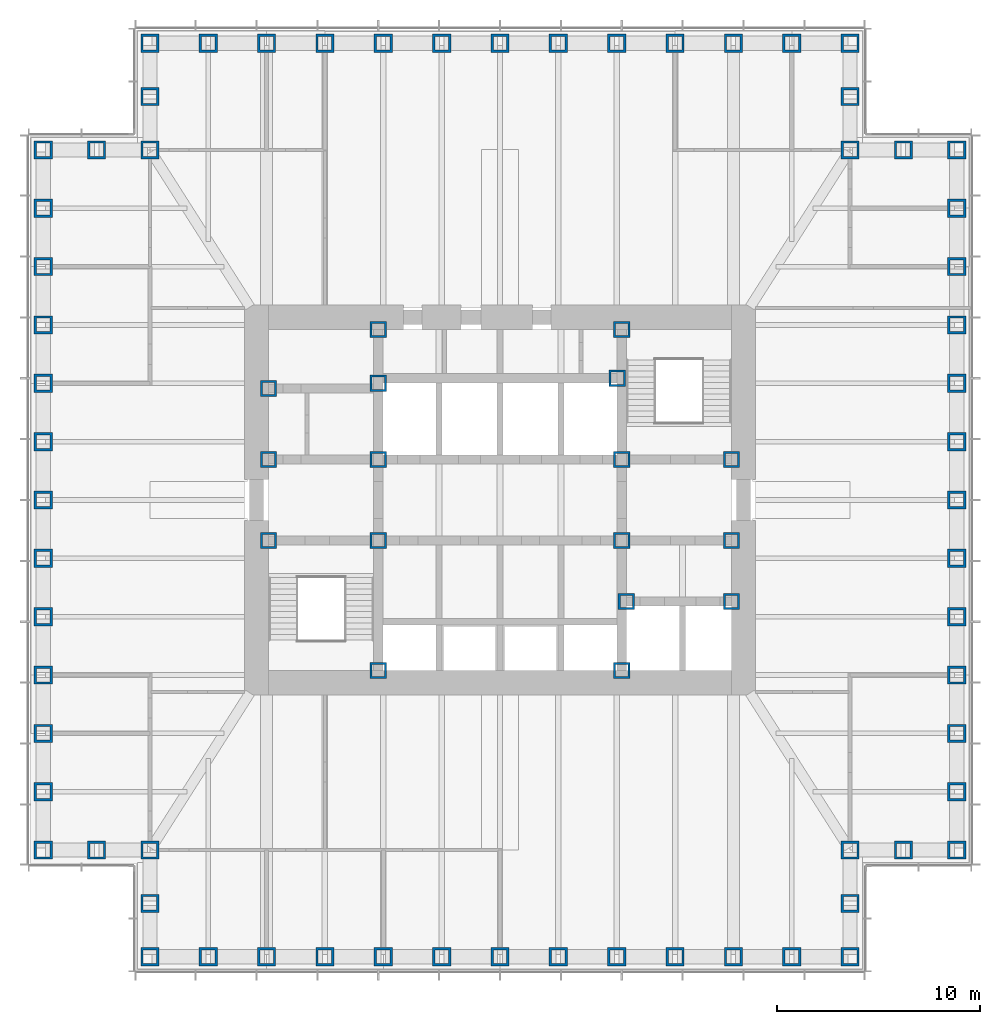
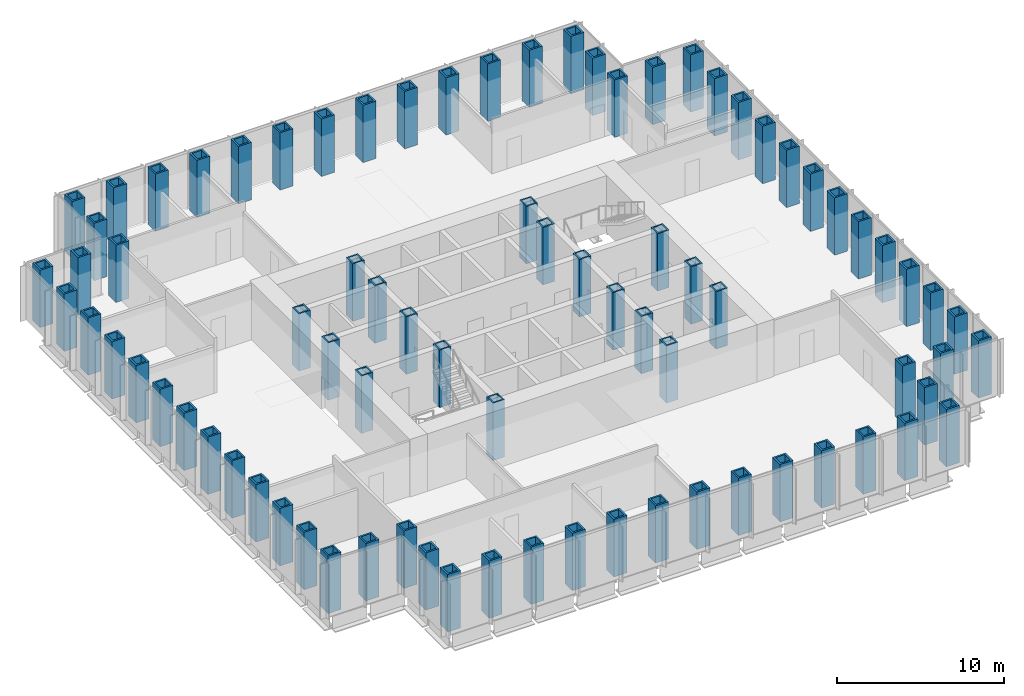
# One storey, part 1 of 16: 81 columns.
"""IFC4 building model written with IfcOpenShell, lengths in metres."""

from ifc_helpers import new_model, si_unit, direction, frame, origin, origin_2d, place, context, subcontext, project, spatial, hollow_rectangle, extrude, material, material_profile, profile_set, type_object, element, save


model = new_model("IFC4")

# Units and contexts
model_context = context("Model", 3, precision=1e-05, world=origin(), true_north=direction((0.0, 1.0)))
body_context = subcontext(model_context, "Body", "Model", "MODEL_VIEW")
ifc_project = project(units=[si_unit("LENGTHUNIT", "METRE"), si_unit("AREAUNIT", "SQUARE_METRE"), si_unit("VOLUMEUNIT", "CUBIC_METRE"), si_unit("PLANEANGLEUNIT", "RADIAN"), si_unit("MASSUNIT", "GRAM", prefix="KILO")], contexts=[model_context])

# Site, building, storey
site_placement = place(None, origin())
site = spatial("IfcSite", under=ifc_project, at=site_placement, CompositionType="ELEMENT")
building_placement = place(site_placement, origin())
building = spatial("IfcBuilding", under=site, at=building_placement, Name="Daluyong Arena Tower", CompositionType="ELEMENT")
storey_placement = place(building_placement, frame((0.0, 0.0, 162.699951171875)))
storey = spatial("IfcBuildingStorey", under=building, at=storey_placement, Name="L36", CompositionType="ELEMENT", Elevation=162.699951171875)

# Columns
ifc_material_1 = material(Name="Steel ASTM A572 Grade 50", Category="steel")
ifc_material_profile_1 = material_profile(ifc_material_1, hollow_rectangle(XDim=0.800048828125, YDim=0.800048828125, WallThickness=0.1, at=origin_2d()))
ifc_profile_set_1 = profile_set([ifc_material_profile_1], Name="Steel ASTM A572 Grade 50")
column_type_1 = type_object("IfcColumnType", Name="Core boundary column BX800X100", PredefinedType="COLUMN", material=ifc_profile_set_1)
for number, where, z_axis, x_axis, name in (
    (1, (44.60009765625, 78.0, 0.0), (0.0, 0.0, 1.0), (1.0, 0.0, 0.0), "core boundary column BC2"),
    (2, (44.60009765625, 82.0, 0.0), (0.0, 0.0, 1.0), (1.0, 0.0, 0.0), "core boundary column BC2"),
    (3, (44.60009765625, 85.5, 0.0), (0.0, 0.0, 1.0), (1.0, 0.0, 0.0), "core boundary column BC2"),
    (4, (50.0, 71.60009765625, 0.0), (0.0, 0.0, 1.0), (1.0, 0.0, 0.0), "core boundary column BC2"),
    (5, (50.0, 78.0, 0.0), (0.0, 0.0, 1.0), (1.0, 0.0, 0.0), "core boundary column BC2"),
    (6, (50.0, 82.0, 0.0), (0.0, 0.0, 1.0), (1.0, 0.0, 0.0), "core boundary column BC2"),
    (7, (50.0, 85.75, 0.0), (0.0, 0.0, 1.0), (1.0, 0.0, 0.0), "core boundary column BC2"),
    (8, (50.0, 88.39990234375, 0.0), (0.0, 0.0, 1.0), (1.0, 0.0, 0.0), "core boundary column BC2"),
    (9, (61.77490234375, 86.0, 0.0), (0.0, 0.0, 1.0), (1.0, 0.0, 0.0), "core boundary column BC2"),
    (10, (62.0, 71.60009765625, 0.0), (0.0, 0.0, 1.0), (1.0, 0.0, 0.0), "core boundary column BC2"),
    (11, (62.0, 78.0, 0.0), (0.0, 0.0, 1.0), (1.0, 0.0, 0.0), "core boundary column BC2"),
    (12, (62.0, 82.0, 0.0), (0.0, 0.0, 1.0), (1.0, 0.0, 0.0), "core boundary column BC2"),
    (13, (62.0, 88.39990234375, 0.0), (0.0, 0.0, 1.0), (1.0, 0.0, 0.0), "core boundary column BC2"),
    (14, (62.22509765625, 75.0, 0.0), (0.0, 0.0, 1.0), (1.0, 0.0, 0.0), "core boundary column BC2"),
    (15, (67.39990234375, 75.0, 0.0), (0.0, 0.0, 1.0), (1.0, 0.0, 0.0), "core boundary column BC2"),
    (16, (67.39990234375, 78.0, 0.0), (0.0, 0.0, 1.0), (1.0, 0.0, 0.0), "core boundary column BC2"),
    (17, (67.39990234375, 82.0, 0.0), (0.0, 0.0, 1.0), (1.0, 0.0, 0.0), "core boundary column BC2"),
):
    element("IfcColumn", number, at=place(storey_placement, frame(where, z_axis=z_axis, x_axis=x_axis)), inside=storey, type_object=column_type_1, Name=name, PredefinedType="COLUMN", context=body_context, shape_type="SweptSolid", body=[
        extrude(hollow_rectangle(XDim=0.800048828125, YDim=0.800048828125, WallThickness=0.1, at=origin_2d()), origin(), (0.0, 0.0, 1.0), 4.199951171875),
    ])
ifc_material_2 = material(Name="Steel ASTM A588 Grade 50", Category="steel")
ifc_material_profile_2 = material_profile(ifc_material_2, hollow_rectangle(XDim=0.89990234375, YDim=0.89990234375, WallThickness=0.12, at=origin_2d()))
ifc_profile_set_2 = profile_set([ifc_material_profile_2], Name="Steel ASTM A588 Grade 50")
column_type_2 = type_object("IfcColumnType", Name="Tube column BX900X120 BX900X120", PredefinedType="COLUMN", material=ifc_profile_set_2)
for number, where, z_axis, x_axis, name in (
    (18, (38.75, 57.5, 0.0), (0.0, 0.0, 1.0), (1.0, 0.0, 0.0), "tube column bx900x120 TC4"),
    (19, (41.625, 57.5, 0.0), (0.0, 0.0, 1.0), (1.0, 0.0, 0.0), "tube column bx900x120 TC4"),
    (20, (44.5, 57.5, 0.0), (0.0, 0.0, 1.0), (1.0, 0.0, 0.0), "tube column bx900x120 TC4"),
    (21, (47.375, 57.5, 0.0), (0.0, 0.0, 1.0), (1.0, 0.0, 0.0), "tube column bx900x120 TC4"),
    (22, (50.25, 57.5, 0.0), (0.0, 0.0, 1.0), (1.0, 0.0, 0.0), "tube column bx900x120 TC4"),
    (23, (53.125, 57.5, 0.0), (0.0, 0.0, 1.0), (1.0, 0.0, 0.0), "tube column bx900x120 TC4"),
    (24, (56.0, 57.5, 0.0), (0.0, 0.0, 1.0), (1.0, 0.0, 0.0), "tube column bx900x120 TC4"),
    (25, (58.875, 57.5, 0.0), (0.0, 0.0, 1.0), (1.0, 0.0, 0.0), "tube column bx900x120 TC4"),
    (26, (61.75, 57.5, 0.0), (0.0, 0.0, 1.0), (1.0, 0.0, 0.0), "tube column bx900x120 TC4"),
    (27, (64.625, 57.5, 0.0), (0.0, 0.0, 1.0), (1.0, 0.0, 0.0), "tube column bx900x120 TC4"),
    (28, (67.5, 57.5, 0.0), (0.0, 0.0, 1.0), (1.0, 0.0, 0.0), "tube column bx900x120 TC4"),
    (29, (70.375, 57.5, 0.0), (0.0, 0.0, 1.0), (1.0, 0.0, 0.0), "tube column bx900x120 TC4"),
    (30, (73.25, 57.5, 0.0), (0.0, 0.0, 1.0), (0.0, 1.0, 0.0), "tube column bx900x120 TC4"),
    (31, (73.25, 60.125, 0.0), (0.0, 0.0, 1.0), (0.0, 1.0, 0.0), "tube column bx900x120 TC4"),
    (32, (73.25, 62.75, 0.0), (0.0, 0.0, 1.0), (1.0, 0.0, 0.0), "tube column bx900x120 TC4"),
    (33, (75.875, 62.75, 0.0), (0.0, 0.0, 1.0), (1.0, 0.0, 0.0), "tube column bx900x120 TC4"),
    (34, (78.5, 62.75, 0.0), (0.0, 0.0, 1.0), (0.0, 1.0, 0.0), "tube column bx900x120 TC4"),
    (35, (78.5, 65.625, 0.0), (0.0, 0.0, 1.0), (0.0, 1.0, 0.0), "tube column bx900x120 TC4"),
    (36, (78.5, 68.5, 0.0), (0.0, 0.0, 1.0), (0.0, 1.0, 0.0), "tube column bx900x120 TC4"),
    (37, (78.5, 71.375, 0.0), (0.0, 0.0, 1.0), (0.0, 1.0, 0.0), "tube column bx900x120 TC4"),
    (38, (78.5, 74.25, 0.0), (0.0, 0.0, 1.0), (0.0, 1.0, 0.0), "tube column bx900x120 TC4"),
    (39, (78.5, 77.125, 0.0), (0.0, 0.0, 1.0), (0.0, 1.0, 0.0), "tube column bx900x120 TC4"),
    (40, (78.5, 80.0, 0.0), (0.0, 0.0, 1.0), (0.0, 1.0, 0.0), "tube column bx900x120 TC4"),
    (41, (78.5, 82.875, 0.0), (0.0, 0.0, 1.0), (0.0, 1.0, 0.0), "tube column bx900x120 TC4"),
    (42, (78.5, 85.75, 0.0), (0.0, 0.0, 1.0), (0.0, 1.0, 0.0), "tube column bx900x120 TC4"),
    (43, (78.5, 88.625, 0.0), (0.0, 0.0, 1.0), (0.0, 1.0, 0.0), "tube column bx900x120 TC4"),
    (44, (78.5, 91.5, 0.0), (0.0, 0.0, 1.0), (0.0, 1.0, 0.0), "tube column bx900x120 TC4"),
    (45, (78.5, 94.375, 0.0), (0.0, 0.0, 1.0), (0.0, 1.0, 0.0), "tube column bx900x120 TC4"),
    (46, (78.5, 97.25, 0.0), (0.0, 0.0, 1.0), (1.0, 0.0, 0.0), "tube column bx900x120 TC4"),
    (47, (75.875, 97.25, 0.0), (0.0, 0.0, 1.0), (1.0, 0.0, 0.0), "tube column bx900x120 TC4"),
    (48, (73.25, 97.25, 0.0), (0.0, 0.0, 1.0), (0.0, 1.0, 0.0), "tube column bx900x120 TC4"),
    (49, (73.25, 99.875, 0.0), (0.0, 0.0, 1.0), (0.0, 1.0, 0.0), "tube column bx900x120 TC4"),
    (50, (73.25, 102.5, 0.0), (0.0, 0.0, 1.0), (1.0, 0.0, 0.0), "tube column bx900x120 TC4"),
    (51, (70.375, 102.5, 0.0), (0.0, 0.0, 1.0), (1.0, 0.0, 0.0), "tube column bx900x120 TC4"),
    (52, (67.5, 102.5, 0.0), (0.0, 0.0, 1.0), (1.0, 0.0, 0.0), "tube column bx900x120 TC4"),
    (53, (64.625, 102.5, 0.0), (0.0, 0.0, 1.0), (1.0, 0.0, 0.0), "tube column bx900x120 TC4"),
    (54, (61.75, 102.5, 0.0), (0.0, 0.0, 1.0), (1.0, 0.0, 0.0), "tube column bx900x120 TC4"),
    (55, (58.875, 102.5, 0.0), (0.0, 0.0, 1.0), (1.0, 0.0, 0.0), "tube column bx900x120 TC4"),
    (56, (56.0, 102.5, 0.0), (0.0, 0.0, 1.0), (1.0, 0.0, 0.0), "tube column bx900x120 TC4"),
    (57, (53.125, 102.5, 0.0), (0.0, 0.0, 1.0), (1.0, 0.0, 0.0), "tube column bx900x120 TC4"),
    (58, (50.25, 102.5, 0.0), (0.0, 0.0, 1.0), (1.0, 0.0, 0.0), "tube column bx900x120 TC4"),
    (59, (47.375, 102.5, 0.0), (0.0, 0.0, 1.0), (1.0, 0.0, 0.0), "tube column bx900x120 TC4"),
    (60, (44.5, 102.5, 0.0), (0.0, 0.0, 1.0), (1.0, 0.0, 0.0), "tube column bx900x120 TC4"),
    (61, (41.625, 102.5, 0.0), (0.0, 0.0, 1.0), (1.0, 0.0, 0.0), "tube column bx900x120 TC4"),
    (62, (38.75, 102.5, 0.0), (0.0, 0.0, 1.0), (0.0, 1.0, 0.0), "tube column bx900x120 TC4"),
    (63, (38.75, 99.875, 0.0), (0.0, 0.0, 1.0), (0.0, 1.0, 0.0), "tube column bx900x120 TC4"),
    (64, (38.75, 97.25, 0.0), (0.0, 0.0, 1.0), (1.0, 0.0, 0.0), "tube column bx900x120 TC4"),
    (65, (36.125, 97.25, 0.0), (0.0, 0.0, 1.0), (1.0, 0.0, 0.0), "tube column bx900x120 TC4"),
    (66, (33.5, 97.25, 0.0), (0.0, 0.0, 1.0), (0.0, 1.0, 0.0), "tube column bx900x120 TC4"),
    (67, (33.5, 94.375, 0.0), (0.0, 0.0, 1.0), (0.0, 1.0, 0.0), "tube column bx900x120 TC4"),
    (68, (33.5, 91.5, 0.0), (0.0, 0.0, 1.0), (0.0, 1.0, 0.0), "tube column bx900x120 TC4"),
    (69, (33.5, 88.625, 0.0), (0.0, 0.0, 1.0), (0.0, 1.0, 0.0), "tube column bx900x120 TC4"),
    (70, (33.5, 85.75, 0.0), (0.0, 0.0, 1.0), (0.0, 1.0, 0.0), "tube column bx900x120 TC4"),
    (71, (33.5, 82.875, 0.0), (0.0, 0.0, 1.0), (0.0, 1.0, 0.0), "tube column bx900x120 TC4"),
    (72, (33.5, 80.0, 0.0), (0.0, 0.0, 1.0), (0.0, 1.0, 0.0), "tube column bx900x120 TC4"),
    (73, (33.5, 77.125, 0.0), (0.0, 0.0, 1.0), (0.0, 1.0, 0.0), "tube column bx900x120 TC4"),
    (74, (33.5, 74.25, 0.0), (0.0, 0.0, 1.0), (0.0, 1.0, 0.0), "tube column bx900x120 TC4"),
    (75, (33.5, 71.375, 0.0), (0.0, 0.0, 1.0), (0.0, 1.0, 0.0), "tube column bx900x120 TC4"),
    (76, (33.5, 68.5, 0.0), (0.0, 0.0, 1.0), (0.0, 1.0, 0.0), "tube column bx900x120 TC4"),
    (77, (33.5, 65.625, 0.0), (0.0, 0.0, 1.0), (0.0, 1.0, 0.0), "tube column bx900x120 TC4"),
    (78, (33.5, 62.75, 0.0), (0.0, 0.0, 1.0), (1.0, 0.0, 0.0), "tube column bx900x120 TC4"),
    (79, (36.125, 62.75, 0.0), (0.0, 0.0, 1.0), (1.0, 0.0, 0.0), "tube column bx900x120 TC4"),
    (80, (38.75, 62.75, 0.0), (0.0, 0.0, 1.0), (0.0, 1.0, 0.0), "tube column bx900x120 TC4"),
    (81, (38.75, 60.125, 0.0), (0.0, 0.0, 1.0), (0.0, 1.0, 0.0), "tube column bx900x120 TC4"),
):
    element("IfcColumn", number, at=place(storey_placement, frame(where, z_axis=z_axis, x_axis=x_axis)), inside=storey, type_object=column_type_2, Name=name, PredefinedType="COLUMN", context=body_context, shape_type="SweptSolid", body=[
        extrude(hollow_rectangle(XDim=0.89990234375, YDim=0.89990234375, WallThickness=0.12, at=origin_2d()), origin(), (0.0, 0.0, 1.0), 4.199951171875),
    ])

save(model, "model.ifc")
